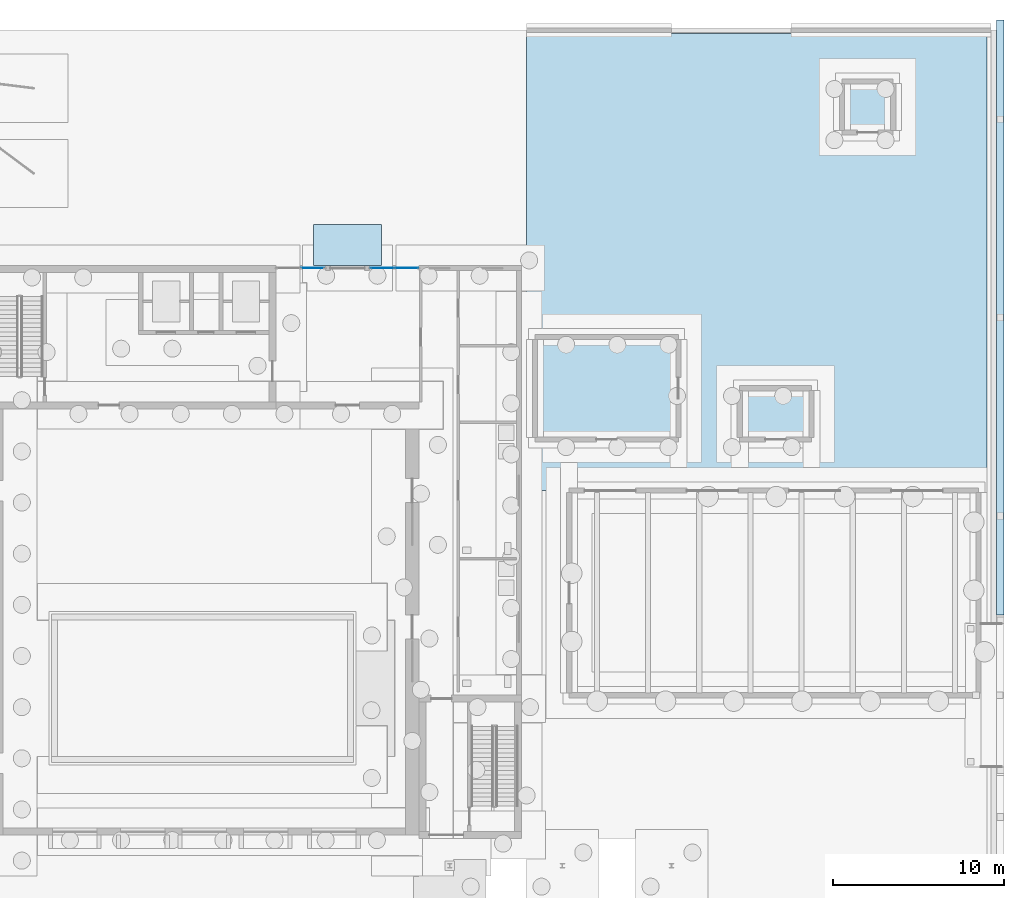
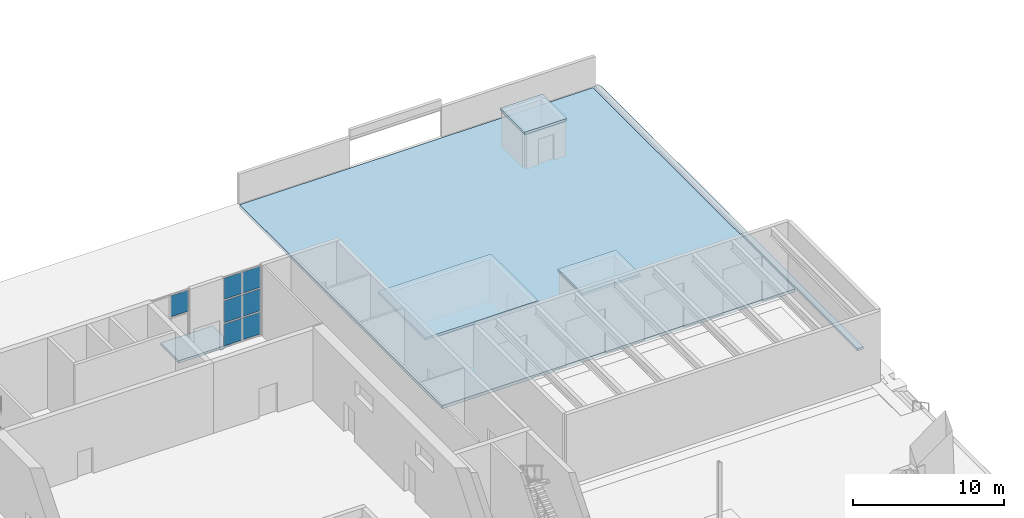
# One storey, part 52 of 108: 7 plates, 6 slabs, 2 elements without a shape of their own.
"""IFC4 building model written with IfcOpenShell, lengths in metres."""

from ifc_helpers import new_model, si_unit, direction, frame, origin, origin_2d, place, context, subcontext, project, spatial, polyline, rectangle, outline, extrude, material, layer, layer_set, type_object, element, aggregate, save


model = new_model("IFC4")

# Units and contexts
model_context = context("Model", 3, precision=1e-05, world=origin(), true_north=direction((0.0, 1.0)))
body_context = subcontext(model_context, "Body", "Model", "MODEL_VIEW")
ifc_project = project(units=[si_unit("LENGTHUNIT", "METRE"), si_unit("AREAUNIT", "SQUARE_METRE"), si_unit("VOLUMEUNIT", "CUBIC_METRE"), si_unit("PLANEANGLEUNIT", "RADIAN"), si_unit("MASSUNIT", "GRAM", prefix="KILO")], contexts=[model_context])

# Site, building, storey
site_placement = place(None, origin())
site = spatial("IfcSite", under=ifc_project, at=site_placement, CompositionType="ELEMENT")
building_placement = place(site_placement, origin())
building = spatial("IfcBuilding", under=site, at=building_placement, Name="Cresset Court Congress Hotel", CompositionType="ELEMENT")
storey_placement = place(building_placement, origin())
storey = spatial("IfcBuildingStorey", under=building, at=storey_placement, Name="L00", CompositionType="ELEMENT", Elevation=0.0)

# Curtain wall, plate
ifc_material_1 = material(Name="Aluminium frame with insulated glass", Category="aluminium")
curtain_wall_type = type_object("IfcCurtainWallType", Name="Curtain wall module 1600", PredefinedType="NOTDEFINED", material=ifc_material_1)
curtain_wall_1_placement = place(storey_placement, origin())
curtain_wall_1 = element("IfcCurtainWall", 1, at=curtain_wall_1_placement, inside=storey, type_object=curtain_wall_type, Name="Curtain wall N1", PredefinedType="NOTDEFINED")
ifc_material_2 = material(Name="Laminated glass", Category="glass")
ifc_layer_1 = layer(ifc_material_2, 0.028076171875)
ifc_layer_set_1 = layer_set([ifc_layer_1], Name="Curtain wall glass panel 28")
plate_type = type_object("IfcPlateType", Name="Curtain wall glass panel 28", PredefinedType="CURTAIN_PANEL", material=ifc_layer_set_1)
plate_1_placement = place(storey_placement, frame((144.9599609375, 109.050048828125, 3.89208984375), z_axis=(0.0, 0.0, 1.0), x_axis=(1.0, 0.0, 0.0)))
plate_1 = element("IfcPlate", 2, at=plate_1_placement, type_object=plate_type, Name="D-X3 panel 2.3", PredefinedType="CURTAIN_PANEL", context=body_context, shape_type="SweptSolid", body=[
    extrude(rectangle(XDim=1.360107421875, YDim=0.028076171875, at=origin_2d()), origin(), (0.0, 0.0, 1.0), 1.7080078125),
])
aggregate(curtain_wall_1, [plate_1])

# Curtain wall, plates
curtain_wall_2_placement = place(storey_placement, origin())
curtain_wall_2 = element("IfcCurtainWall", 3, at=curtain_wall_2_placement, inside=storey, type_object=curtain_wall_type, Name="Curtain wall N2", PredefinedType="NOTDEFINED")
plate_2_placement = place(storey_placement, frame((149.0400390625, 109.050048828125, 0.1201171875), z_axis=(0.0, 0.0, 1.0), x_axis=(1.0, 0.0, 0.0)))
plate_2 = element("IfcPlate", 4, at=plate_2_placement, type_object=plate_type, Name="D-X3 panel 1.1", PredefinedType="CURTAIN_PANEL", context=body_context, shape_type="SweptSolid", body=[
    extrude(rectangle(XDim=1.360107421875, YDim=0.028076171875, at=origin_2d()), origin(), (0.0, 0.0, 1.0), 1.764892578125),
])
plate_3_placement = place(storey_placement, frame((149.0400390625, 109.050048828125, 2.0048828125), z_axis=(0.0, 0.0, 1.0), x_axis=(1.0, 0.0, 0.0)))
plate_3 = element("IfcPlate", 5, at=plate_3_placement, type_object=plate_type, Name="D-X3 panel 1.2", PredefinedType="CURTAIN_PANEL", context=body_context, shape_type="SweptSolid", body=[
    extrude(rectangle(XDim=1.360107421875, YDim=0.028076171875, at=origin_2d()), origin(), (0.0, 0.0, 1.0), 1.76708984375),
])
plate_4_placement = place(storey_placement, frame((149.0400390625, 109.050048828125, 3.89208984375), z_axis=(0.0, 0.0, 1.0), x_axis=(1.0, 0.0, 0.0)))
plate_4 = element("IfcPlate", 6, at=plate_4_placement, type_object=plate_type, Name="D-X3 panel 1.3", PredefinedType="CURTAIN_PANEL", context=body_context, shape_type="SweptSolid", body=[
    extrude(rectangle(XDim=1.360107421875, YDim=0.028076171875, at=origin_2d()), origin(), (0.0, 0.0, 1.0), 1.7080078125),
])
plate_5_placement = place(storey_placement, frame((150.4599609375, 109.050048828125, 0.1201171875), z_axis=(0.0, 0.0, 1.0), x_axis=(1.0, 0.0, 0.0)))
plate_5 = element("IfcPlate", 7, at=plate_5_placement, type_object=plate_type, Name="D-X3 panel 2.1", PredefinedType="CURTAIN_PANEL", context=body_context, shape_type="SweptSolid", body=[
    extrude(rectangle(XDim=1.360107421875, YDim=0.028076171875, at=origin_2d()), origin(), (0.0, 0.0, 1.0), 1.764892578125),
])
plate_6_placement = place(storey_placement, frame((150.4599609375, 109.050048828125, 2.0048828125), z_axis=(0.0, 0.0, 1.0), x_axis=(1.0, 0.0, 0.0)))
plate_6 = element("IfcPlate", 8, at=plate_6_placement, type_object=plate_type, Name="D-X3 panel 2.2", PredefinedType="CURTAIN_PANEL", context=body_context, shape_type="SweptSolid", body=[
    extrude(rectangle(XDim=1.360107421875, YDim=0.028076171875, at=origin_2d()), origin(), (0.0, 0.0, 1.0), 1.76708984375),
])
plate_7_placement = place(storey_placement, frame((150.4599609375, 109.050048828125, 3.89208984375), z_axis=(0.0, 0.0, 1.0), x_axis=(1.0, 0.0, 0.0)))
plate_7 = element("IfcPlate", 9, at=plate_7_placement, type_object=plate_type, Name="D-X3 panel 2.3", PredefinedType="CURTAIN_PANEL", context=body_context, shape_type="SweptSolid", body=[
    extrude(rectangle(XDim=1.360107421875, YDim=0.028076171875, at=origin_2d()), origin(), (0.0, 0.0, 1.0), 1.7080078125),
])
aggregate(curtain_wall_2, [plate_2, plate_3, plate_4, plate_5, plate_6, plate_7])

# Slabs
ifc_material_3 = material(Name="Concrete C35", Category="concrete")
ifc_layer_2 = layer(ifc_material_3, 0.199951171875)
ifc_layer_set_2 = layer_set([ifc_layer_2], Name="Exit apron slab 200 C35")
slab_type_1 = type_object("IfcSlabType", Name="Exit apron slab 200 C35", PredefinedType="BASESLAB", material=ifc_layer_set_2)
slab_1_placement = place(storey_placement, frame((0.0, 0.0, -0.199951171875)))
element("IfcSlab", 10, at=slab_1_placement, inside=storey, type_object=slab_type_1, Name="Entrance apron", PredefinedType="BASESLAB", context=body_context, shape_type="SweptSolid", body=[
    extrude(outline(polyline([(145.0, 109.199951171875), (149.0, 109.199951171875), (149.0, 111.60009765625), (145.0, 111.60009765625), (145.0, 109.199951171875)])), origin(), (0.0, 0.0, 1.0), 0.199951171875),
])
ifc_material_4 = material(Name="Concrete C35", Category="concrete")
ifc_layer_3 = layer(ifc_material_4, 0.199951171875)
ifc_layer_set_3 = layer_set([ifc_layer_3], Name="Kiosk roof slab 200")
slab_type_2 = type_object("IfcSlabType", Name="Kiosk roof slab 200", PredefinedType="ROOF", material=ifc_layer_set_3)
slab_2_placement = place(storey_placement, frame((0.0, 0.0, 3.39990234375)))
element("IfcSlab", 11, at=slab_2_placement, inside=storey, type_object=slab_type_2, Name="S.svc.RF.roof", PredefinedType="ROOF", context=body_context, shape_type="SweptSolid", body=[
    extrude(outline(polyline([(157.875, 98.875), (166.52490234375, 98.875), (166.52490234375, 105.125), (157.875, 105.125), (157.875, 98.875)])), origin(), (0.0, 0.0, 1.0), 0.2001953125),
])
slab_3_placement = place(storey_placement, frame((0.0, 0.0, 2.800048828125)))
element("IfcSlab", 12, at=slab_3_placement, inside=storey, type_object=slab_type_2, Name="S.svc.SK.roof", PredefinedType="ROOF", context=body_context, shape_type="SweptSolid", body=[
    extrude(outline(polyline([(169.875, 98.875), (174.324951171875, 98.875), (174.324951171875, 102.125), (169.875, 102.125), (169.875, 98.875)])), origin(), (0.0, 0.0, 1.0), 0.199951171875),
])
slab_4_placement = place(storey_placement, frame((0.0, 0.0, 2.800048828125)))
element("IfcSlab", 13, at=slab_4_placement, inside=storey, type_object=slab_type_2, Name="S.svc.GH.roof", PredefinedType="ROOF", context=body_context, shape_type="SweptSolid", body=[
    extrude(outline(polyline([(175.875, 116.875), (179.125, 116.875), (179.125, 120.125), (175.875, 120.125), (175.875, 116.875)])), origin(), (0.0, 0.0, 1.0), 0.199951171875),
])
ifc_material_5 = material(Name="Concrete C35", Category="concrete")
ifc_layer_4 = layer(ifc_material_5, 0.199951171875)
ifc_layer_set_4 = layer_set([ifc_layer_4], Name="Street apron slab 200")
slab_type_3 = type_object("IfcSlabType", Name="Street apron slab 200", PredefinedType="FLOOR", material=ifc_layer_set_4)
slab_5_placement = place(storey_placement, frame((0.0, 0.0, -0.800048828125)))
element("IfcSlab", 14, at=slab_5_placement, inside=storey, type_object=slab_type_3, Name="Street apron E06", PredefinedType="FLOOR", context=body_context, shape_type="SweptSolid", body=[
    extrude(outline(polyline([(185.050048828125, 88.699951171875), (185.498046875, 88.699951171875), (185.498046875, 123.597900390625), (185.050048828125, 123.597900390625), (185.050048828125, 88.699951171875)])), origin(), (0.0, 0.0, 1.0), 0.199951171875),
])
ifc_material_6 = material(Name="Concrete C40", Category="concrete")
ifc_layer_5 = layer(ifc_material_6, 0.25)
ifc_layer_set_5 = layer_set([ifc_layer_5], Name="Yard slab 250")
slab_type_4 = type_object("IfcSlabType", Name="Yard slab 250", PredefinedType="BASESLAB", material=ifc_layer_set_5)
slab_6_placement = place(storey_placement, frame((0.0, 0.0, -0.25)))
element("IfcSlab", 15, at=slab_6_placement, inside=storey, type_object=slab_type_4, Name="S.slab.L00.yard", PredefinedType="BASESLAB", context=body_context, shape_type="SweptSolid", body=[
    extrude(outline(polyline([(157.5, 96.0), (184.5, 96.0), (184.5, 122.800048828125), (157.5, 122.800048828125), (157.5, 96.0)])), origin(), (0.0, 0.0, 1.0), 0.25),
])

save(model, "model.ifc")
